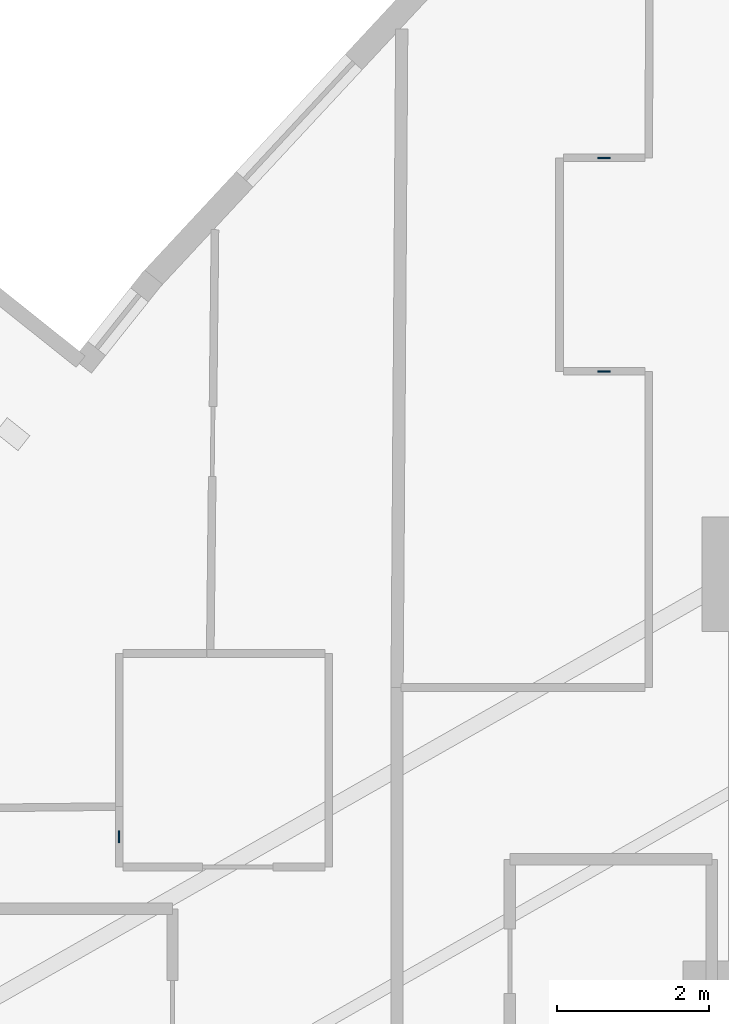
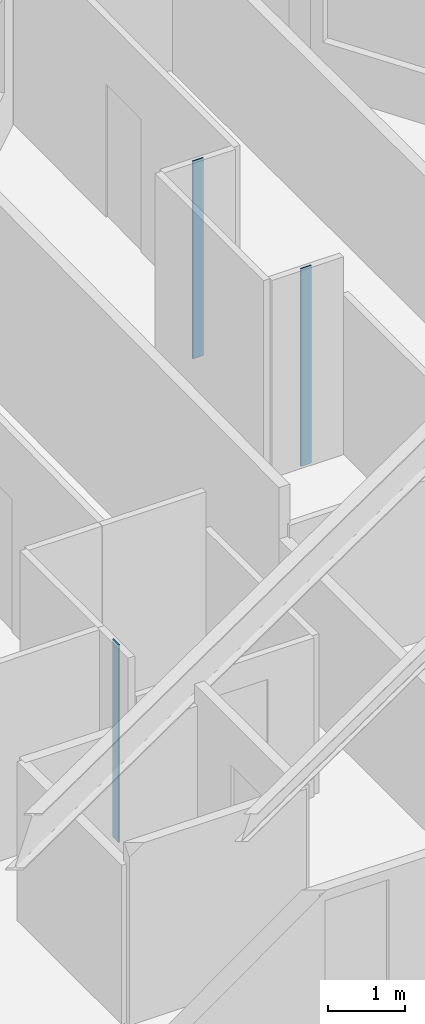
# One storey, part 6 of 15: 3 plates.
"""IFC4 building model written with IfcOpenShell, lengths in metres."""

from ifc_helpers import new_model, si_unit, direction, frame, origin, origin_2d, place, context, subcontext, project, spatial, rectangle, extrude, material, layer, layer_set, type_object, element, save


model = new_model("IFC4")

# Units and contexts
model_context = context("Model", 3, precision=1e-05, world=origin(), true_north=direction((0.0, 1.0)))
body_context = subcontext(model_context, "Body", "Model", "MODEL_VIEW")
ifc_project = project(units=[si_unit("LENGTHUNIT", "METRE"), si_unit("AREAUNIT", "SQUARE_METRE"), si_unit("VOLUMEUNIT", "CUBIC_METRE"), si_unit("PLANEANGLEUNIT", "RADIAN"), si_unit("MASSUNIT", "GRAM", prefix="KILO")], contexts=[model_context])

# Site, building, storey
site_placement = place(None, origin())
site = spatial("IfcSite", under=ifc_project, at=site_placement, CompositionType="ELEMENT")
building_placement = place(site_placement, origin())
building = spatial("IfcBuilding", under=site, at=building_placement, Name="Miruveldt Soraemaru", CompositionType="ELEMENT")
storey_placement = place(building_placement, frame((0.0, 0.0, 39.39990234375)))
storey = spatial("IfcBuildingStorey", under=building, at=storey_placement, Name="L10", CompositionType="ELEMENT", Elevation=39.39990234375)

# Plates
ifc_material = material(Name="Anodised aluminium EN AW-6063 T6", Category="aluminium")
ifc_layer = layer(ifc_material, 0.02001953125, Name="Anodised aluminium EN AW-6063 T6", Category="aluminium")
ifc_layer_set = layer_set([ifc_layer], Name="Anodised aluminium EN AW-6063 T6")
plate_type = type_object("IfcPlateType", Name="PLT-PART-TRIM", PredefinedType="SHEET", material=ifc_layer_set)
for number, where, z_axis, x_axis, name in (
    (1, (42.215087890625, 68.6298828125, 0.0), (0.0, 0.0, 1.0), (-1.0, 0.0, 0.0), "L10 Partition Step Corner Trim Plate 034"),
    (2, (42.215087890625, 65.830078125, 0.0), (0.0, 0.0, 1.0), (1.0, 0.0, 0.0), "L10 Partition Step Corner Trim Plate 036"),
    (3, (35.85498046875, 59.7265625, 0.0), (0.0, 0.0, 1.0), (0.0, -1.0, 0.0), "L10 Partition Step Corner Trim Plate 019"),
):
    element("IfcPlate", number, at=place(storey_placement, frame(where, z_axis=z_axis, x_axis=x_axis)), inside=storey, type_object=plate_type, Name=name, PredefinedType="SHEET", context=body_context, shape_type="SweptSolid", body=[
        extrude(rectangle(XDim=0.159912109375, YDim=0.02001953125, at=origin_2d()), origin(), (0.0, 0.0, 1.0), 3.125),
    ])

save(model, "model.ifc")
